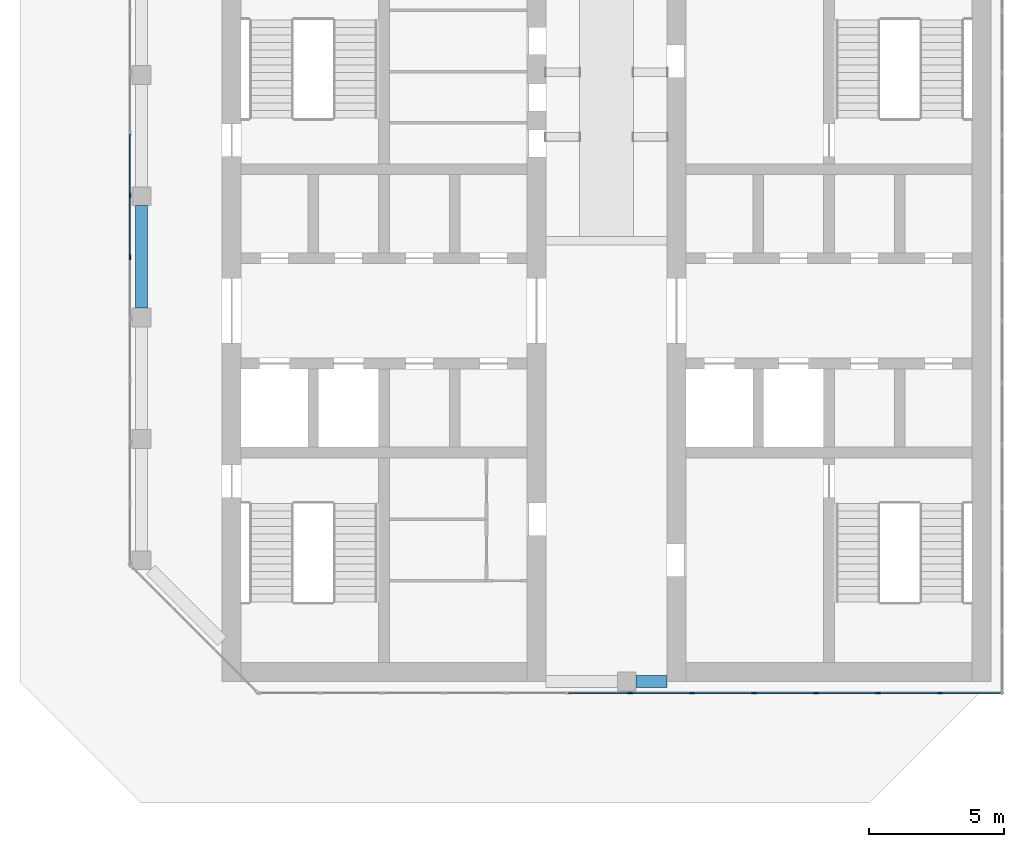
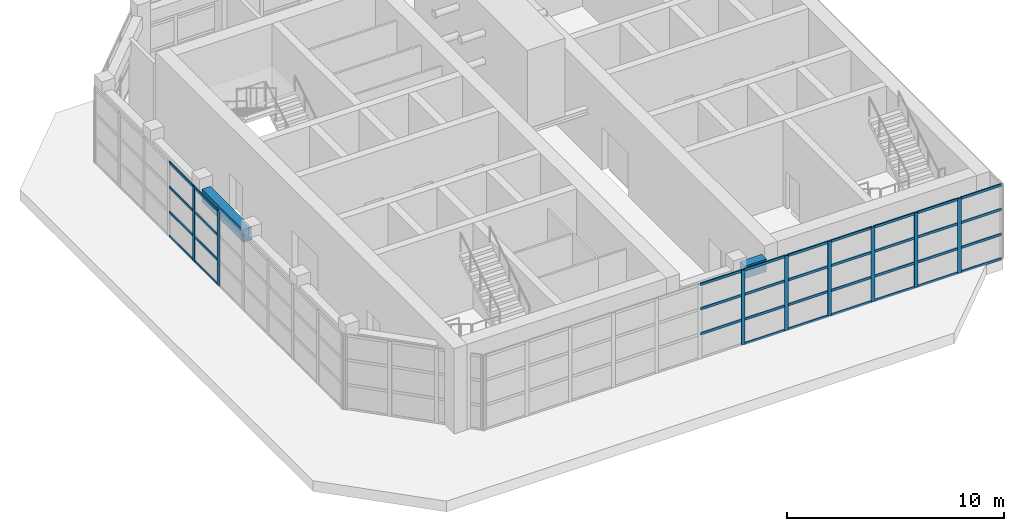
# One storey, part 3 of 13: 43 members, 2 beams, 2 elements without a shape of their own.
"""IFC4 building model written with IfcOpenShell, lengths in metres."""

from ifc_helpers import new_model, si_unit, direction, frame, origin, origin_2d, place, context, subcontext, project, spatial, rectangle, extrude, material, material_profile, profile_set, type_object, element, aggregate, save


model = new_model("IFC4")

# Units and contexts
model_context = context("Model", 3, precision=1e-05, world=origin(), true_north=direction((0.0, 1.0)))
body_context = subcontext(model_context, "Body", "Model", "MODEL_VIEW")
ifc_project = project(units=[si_unit("LENGTHUNIT", "METRE"), si_unit("AREAUNIT", "SQUARE_METRE"), si_unit("VOLUMEUNIT", "CUBIC_METRE"), si_unit("PLANEANGLEUNIT", "RADIAN"), si_unit("MASSUNIT", "GRAM", prefix="KILO")], contexts=[model_context])

# Site, building, storey
site_placement = place(None, origin())
site = spatial("IfcSite", under=ifc_project, at=site_placement, CompositionType="ELEMENT")
building_placement = place(site_placement, origin())
building = spatial("IfcBuilding", under=site, at=building_placement, Name="Corbel Stack Research Tower", CompositionType="ELEMENT")
storey_placement = place(building_placement, frame((0.0, 0.0, 311.800048828125)))
storey = spatial("IfcBuildingStorey", under=building, at=storey_placement, Name="L70", CompositionType="ELEMENT", Elevation=311.800048828125)

# Curtain wall, members
ifc_material_1 = material(Name="Aluminium and glass", Category="aluminium")
curtain_wall_type = type_object("IfcCurtainWallType", Name="CW4C damper hall glazing wall, corner", PredefinedType="NOTDEFINED", material=ifc_material_1)
curtain_wall_1_placement = place(storey_placement, origin())
curtain_wall_1 = element("IfcCurtainWall", 1, at=curtain_wall_1_placement, inside=storey, type_object=curtain_wall_type, Name="Damper hall curtain wall L70 2", PredefinedType="NOTDEFINED")
ifc_material_2 = material(Name="Aluminium, anodised", Category="aluminium")
ifc_material_profile_1 = material_profile(ifc_material_2, rectangle(XDim=0.06005859375, YDim=0.199951171875, at=origin_2d()), Name="CW4 mullion 60 x 200")
ifc_profile_set_1 = profile_set([ifc_material_profile_1], Name="Aluminium, anodised")
member_type_1 = type_object("IfcMemberType", Name="CW4 mullion 60 x 200", PredefinedType="MULLION", material=ifc_profile_set_1)
member_1_placement = place(storey_placement, frame((-13.919921875, 6.75, 0.0), z_axis=(0.0, 0.0, 1.0), x_axis=(-1.0, 0.0, 0.0)))
member_1 = element("IfcMember", 2, at=member_1_placement, type_object=member_type_1, Name="CW4C mullion 6", PredefinedType="MULLION", context=body_context, shape_type="SweptSolid", body=[
    extrude(rectangle(XDim=0.06005859375, YDim=0.199951171875, at=origin_2d()), origin(), (0.0, 0.0, 1.0), 4.199951171875),
])
member_2_placement = place(storey_placement, frame((-13.919921875, 9.034912109375, 0.0), z_axis=(0.0, 0.0, 1.0), x_axis=(-1.0, 0.0, 0.0)))
member_2 = element("IfcMember", 3, at=member_2_placement, type_object=member_type_1, Name="CW4C mullion 7", PredefinedType="MULLION", context=body_context, shape_type="SweptSolid", body=[
    extrude(rectangle(XDim=0.06005859375, YDim=0.199951171875, at=origin_2d()), origin(), (0.0, 0.0, 1.0), 4.199951171875),
])

curtain_wall_2_placement = place(storey_placement, origin())
curtain_wall_2 = element("IfcCurtainWall", 4, at=curtain_wall_2_placement, inside=storey, type_object=curtain_wall_type, Name="Damper hall curtain wall L70 7", PredefinedType="NOTDEFINED")
member_3_placement = place(storey_placement, frame((16.12060546875, -9.419921875, 0.0), z_axis=(0.0, 0.0, 1.0), x_axis=(0.0, -1.0, 0.0)))
member_3 = element("IfcMember", 5, at=member_3_placement, type_object=member_type_1, Name="CW4C mullion 2", PredefinedType="MULLION", context=body_context, shape_type="SweptSolid", body=[
    extrude(rectangle(XDim=0.06005859375, YDim=0.199951171875, at=origin_2d()), origin(), (0.0, 0.0, 1.0), 4.199951171875),
])
member_4_placement = place(storey_placement, frame((13.821044921875, -9.419921875, 0.0), z_axis=(0.0, 0.0, 1.0), x_axis=(0.0, -1.0, 0.0)))
member_4 = element("IfcMember", 6, at=member_4_placement, type_object=member_type_1, Name="CW4C mullion 3", PredefinedType="MULLION", context=body_context, shape_type="SweptSolid", body=[
    extrude(rectangle(XDim=0.06005859375, YDim=0.199951171875, at=origin_2d()), origin(), (0.0, 0.0, 1.0), 4.199951171875),
])
member_5_placement = place(storey_placement, frame((11.521484375, -9.419921875, 0.0), z_axis=(0.0, 0.0, 1.0), x_axis=(0.0, -1.0, 0.0)))
member_5 = element("IfcMember", 7, at=member_5_placement, type_object=member_type_1, Name="CW4C mullion 4", PredefinedType="MULLION", context=body_context, shape_type="SweptSolid", body=[
    extrude(rectangle(XDim=0.06005859375, YDim=0.199951171875, at=origin_2d()), origin(), (0.0, 0.0, 1.0), 4.199951171875),
])
member_6_placement = place(storey_placement, frame((9.221923828125, -9.419921875, 0.0), z_axis=(0.0, 0.0, 1.0), x_axis=(0.0, -1.0, 0.0)))
member_6 = element("IfcMember", 8, at=member_6_placement, type_object=member_type_1, Name="CW4C mullion 5", PredefinedType="MULLION", context=body_context, shape_type="SweptSolid", body=[
    extrude(rectangle(XDim=0.06005859375, YDim=0.199951171875, at=origin_2d()), origin(), (0.0, 0.0, 1.0), 4.199951171875),
])
member_7_placement = place(storey_placement, frame((6.922607421875, -9.419921875, 0.0), z_axis=(0.0, 0.0, 1.0), x_axis=(0.0, -1.0, 0.0)))
member_7 = element("IfcMember", 9, at=member_7_placement, type_object=member_type_1, Name="CW4C mullion 6", PredefinedType="MULLION", context=body_context, shape_type="SweptSolid", body=[
    extrude(rectangle(XDim=0.06005859375, YDim=0.199951171875, at=origin_2d()), origin(), (0.0, 0.0, 1.0), 4.199951171875),
])
member_8_placement = place(storey_placement, frame((4.623046875, -9.419921875, 0.0), z_axis=(0.0, 0.0, 1.0), x_axis=(0.0, -1.0, 0.0)))
member_8 = element("IfcMember", 10, at=member_8_placement, type_object=member_type_1, Name="CW4C mullion 7", PredefinedType="MULLION", context=body_context, shape_type="SweptSolid", body=[
    extrude(rectangle(XDim=0.06005859375, YDim=0.199951171875, at=origin_2d()), origin(), (0.0, 0.0, 1.0), 4.199951171875),
])

# Member
ifc_material_3 = material(Name="Aluminium, anodised", Category="aluminium")
ifc_material_profile_2 = material_profile(ifc_material_3, rectangle(XDim=0.06005859375, YDim=0.139892578125, at=origin_2d()), Name="CW4 transom 60 x 140")
ifc_profile_set_2 = profile_set([ifc_material_profile_2], Name="Aluminium, anodised")
member_type_2 = type_object("IfcMemberType", Name="CW4 transom 60 x 140", PredefinedType="USERDEFINED", material=ifc_profile_set_2)
member_9_placement = place(storey_placement, frame((-13.919921875, 6.780029296875, 0.030029296875), z_axis=(0.0, 1.0, 0.0), x_axis=(-1.0, 0.0, 0.0)))
member_9 = element("IfcMember", 11, at=member_9_placement, type_object=member_type_2, Name="CW4C transom 6.1", ObjectType="TRANSOM", PredefinedType="USERDEFINED", context=body_context, shape_type="SweptSolid", body=[
    extrude(rectangle(XDim=0.06005859375, YDim=0.139892578125, at=origin_2d()), origin(), (0.0, 0.0, 1.0), 2.224853515625),
])

member_10_placement = place(storey_placement, frame((-13.919921875, 6.780029296875, 1.39990234375), z_axis=(0.0, 1.0, 0.0), x_axis=(-1.0, 0.0, 0.0)))
member_10 = element("IfcMember", 12, at=member_10_placement, type_object=member_type_2, Name="CW4C transom 6.2", ObjectType="TRANSOM", PredefinedType="USERDEFINED", context=body_context, shape_type="SweptSolid", body=[
    extrude(rectangle(XDim=0.06005859375, YDim=0.139892578125, at=origin_2d()), origin(), (0.0, 0.0, 1.0), 2.224853515625),
])

member_11_placement = place(storey_placement, frame((-13.919921875, 6.780029296875, 2.800048828125), z_axis=(0.0, 1.0, 0.0), x_axis=(-1.0, 0.0, 0.0)))
member_11 = element("IfcMember", 13, at=member_11_placement, type_object=member_type_2, Name="CW4C transom 6.3", ObjectType="TRANSOM", PredefinedType="USERDEFINED", context=body_context, shape_type="SweptSolid", body=[
    extrude(rectangle(XDim=0.06005859375, YDim=0.139892578125, at=origin_2d()), origin(), (0.0, 0.0, 1.0), 2.224853515625),
])

member_12_placement = place(storey_placement, frame((-13.919921875, 6.780029296875, 4.169921875), z_axis=(0.0, 1.0, 0.0), x_axis=(-1.0, 0.0, 0.0)))
member_12 = element("IfcMember", 14, at=member_12_placement, type_object=member_type_2, Name="CW4C transom 6.4", ObjectType="TRANSOM", PredefinedType="USERDEFINED", context=body_context, shape_type="SweptSolid", body=[
    extrude(rectangle(XDim=0.06005859375, YDim=0.139892578125, at=origin_2d()), origin(), (0.0, 0.0, 1.0), 2.224853515625),
])

member_13_placement = place(storey_placement, frame((-13.919921875, 9.064697265625, 0.030029296875), z_axis=(0.0, 1.0, 0.0), x_axis=(-1.0, 0.0, 0.0)))
member_13 = element("IfcMember", 15, at=member_13_placement, type_object=member_type_2, Name="CW4C transom 7.1", ObjectType="TRANSOM", PredefinedType="USERDEFINED", context=body_context, shape_type="SweptSolid", body=[
    extrude(rectangle(XDim=0.06005859375, YDim=0.139892578125, at=origin_2d()), origin(), (0.0, 0.0, 1.0), 2.224853515625),
])

member_14_placement = place(storey_placement, frame((-13.919921875, 9.064697265625, 1.39990234375), z_axis=(0.0, 1.0, 0.0), x_axis=(-1.0, 0.0, 0.0)))
member_14 = element("IfcMember", 16, at=member_14_placement, type_object=member_type_2, Name="CW4C transom 7.2", ObjectType="TRANSOM", PredefinedType="USERDEFINED", context=body_context, shape_type="SweptSolid", body=[
    extrude(rectangle(XDim=0.06005859375, YDim=0.139892578125, at=origin_2d()), origin(), (0.0, 0.0, 1.0), 2.224853515625),
])

member_15_placement = place(storey_placement, frame((-13.919921875, 9.064697265625, 2.800048828125), z_axis=(0.0, 1.0, 0.0), x_axis=(-1.0, 0.0, 0.0)))
member_15 = element("IfcMember", 17, at=member_15_placement, type_object=member_type_2, Name="CW4C transom 7.3", ObjectType="TRANSOM", PredefinedType="USERDEFINED", context=body_context, shape_type="SweptSolid", body=[
    extrude(rectangle(XDim=0.06005859375, YDim=0.139892578125, at=origin_2d()), origin(), (0.0, 0.0, 1.0), 2.224853515625),
])

member_16_placement = place(storey_placement, frame((-13.919921875, 9.064697265625, 4.169921875), z_axis=(0.0, 1.0, 0.0), x_axis=(-1.0, 0.0, 0.0)))
member_16 = element("IfcMember", 18, at=member_16_placement, type_object=member_type_2, Name="CW4C transom 7.4", ObjectType="TRANSOM", PredefinedType="USERDEFINED", context=body_context, shape_type="SweptSolid", body=[
    extrude(rectangle(XDim=0.06005859375, YDim=0.139892578125, at=origin_2d()), origin(), (0.0, 0.0, 1.0), 2.224853515625),
])

aggregate(curtain_wall_1, [member_1, member_2, member_9, member_10, member_11, member_12, member_13, member_14, member_15, member_16])

member_17_placement = place(storey_placement, frame((18.360107421875, -9.419921875, 0.030029296875), z_axis=(-1.0, 0.0, 0.0), x_axis=(0.0, -1.0, 0.0)))
member_17 = element("IfcMember", 19, at=member_17_placement, type_object=member_type_2, Name="CW4C transom 1.1", ObjectType="TRANSOM", PredefinedType="USERDEFINED", context=body_context, shape_type="SweptSolid", body=[
    extrude(rectangle(XDim=0.06005859375, YDim=0.139892578125, at=origin_2d()), origin(), (0.0, 0.0, 1.0), 2.209716796875),
])

member_18_placement = place(storey_placement, frame((18.360107421875, -9.419921875, 1.39990234375), z_axis=(-1.0, 0.0, 0.0), x_axis=(0.0, -1.0, 0.0)))
member_18 = element("IfcMember", 20, at=member_18_placement, type_object=member_type_2, Name="CW4C transom 1.2", ObjectType="TRANSOM", PredefinedType="USERDEFINED", context=body_context, shape_type="SweptSolid", body=[
    extrude(rectangle(XDim=0.06005859375, YDim=0.139892578125, at=origin_2d()), origin(), (0.0, 0.0, 1.0), 2.209716796875),
])

member_19_placement = place(storey_placement, frame((18.360107421875, -9.419921875, 2.800048828125), z_axis=(-1.0, 0.0, 0.0), x_axis=(0.0, -1.0, 0.0)))
member_19 = element("IfcMember", 21, at=member_19_placement, type_object=member_type_2, Name="CW4C transom 1.3", ObjectType="TRANSOM", PredefinedType="USERDEFINED", context=body_context, shape_type="SweptSolid", body=[
    extrude(rectangle(XDim=0.06005859375, YDim=0.139892578125, at=origin_2d()), origin(), (0.0, 0.0, 1.0), 2.209716796875),
])

member_20_placement = place(storey_placement, frame((18.360107421875, -9.419921875, 4.169921875), z_axis=(-1.0, 0.0, 0.0), x_axis=(0.0, -1.0, 0.0)))
member_20 = element("IfcMember", 22, at=member_20_placement, type_object=member_type_2, Name="CW4C transom 1.4", ObjectType="TRANSOM", PredefinedType="USERDEFINED", context=body_context, shape_type="SweptSolid", body=[
    extrude(rectangle(XDim=0.06005859375, YDim=0.139892578125, at=origin_2d()), origin(), (0.0, 0.0, 1.0), 2.209716796875),
])

member_21_placement = place(storey_placement, frame((16.090576171875, -9.419921875, 0.030029296875), z_axis=(-1.0, 0.0, 0.0), x_axis=(0.0, -1.0, 0.0)))
member_21 = element("IfcMember", 23, at=member_21_placement, type_object=member_type_2, Name="CW4C transom 2.1", ObjectType="TRANSOM", PredefinedType="USERDEFINED", context=body_context, shape_type="SweptSolid", body=[
    extrude(rectangle(XDim=0.06005859375, YDim=0.139892578125, at=origin_2d()), origin(), (0.0, 0.0, 1.0), 2.239501953125),
])

member_22_placement = place(storey_placement, frame((16.090576171875, -9.419921875, 1.39990234375), z_axis=(-1.0, 0.0, 0.0), x_axis=(0.0, -1.0, 0.0)))
member_22 = element("IfcMember", 24, at=member_22_placement, type_object=member_type_2, Name="CW4C transom 2.2", ObjectType="TRANSOM", PredefinedType="USERDEFINED", context=body_context, shape_type="SweptSolid", body=[
    extrude(rectangle(XDim=0.06005859375, YDim=0.139892578125, at=origin_2d()), origin(), (0.0, 0.0, 1.0), 2.239501953125),
])

member_23_placement = place(storey_placement, frame((16.090576171875, -9.419921875, 2.800048828125), z_axis=(-1.0, 0.0, 0.0), x_axis=(0.0, -1.0, 0.0)))
member_23 = element("IfcMember", 25, at=member_23_placement, type_object=member_type_2, Name="CW4C transom 2.3", ObjectType="TRANSOM", PredefinedType="USERDEFINED", context=body_context, shape_type="SweptSolid", body=[
    extrude(rectangle(XDim=0.06005859375, YDim=0.139892578125, at=origin_2d()), origin(), (0.0, 0.0, 1.0), 2.239501953125),
])

member_24_placement = place(storey_placement, frame((16.090576171875, -9.419921875, 4.169921875), z_axis=(-1.0, 0.0, 0.0), x_axis=(0.0, -1.0, 0.0)))
member_24 = element("IfcMember", 26, at=member_24_placement, type_object=member_type_2, Name="CW4C transom 2.4", ObjectType="TRANSOM", PredefinedType="USERDEFINED", context=body_context, shape_type="SweptSolid", body=[
    extrude(rectangle(XDim=0.06005859375, YDim=0.139892578125, at=origin_2d()), origin(), (0.0, 0.0, 1.0), 2.239501953125),
])

member_25_placement = place(storey_placement, frame((13.791015625, -9.419921875, 0.030029296875), z_axis=(-1.0, 0.0, 0.0), x_axis=(0.0, -1.0, 0.0)))
member_25 = element("IfcMember", 27, at=member_25_placement, type_object=member_type_2, Name="CW4C transom 3.1", ObjectType="TRANSOM", PredefinedType="USERDEFINED", context=body_context, shape_type="SweptSolid", body=[
    extrude(rectangle(XDim=0.06005859375, YDim=0.139892578125, at=origin_2d()), origin(), (0.0, 0.0, 1.0), 2.239501953125),
])

member_26_placement = place(storey_placement, frame((13.791015625, -9.419921875, 1.39990234375), z_axis=(-1.0, 0.0, 0.0), x_axis=(0.0, -1.0, 0.0)))
member_26 = element("IfcMember", 28, at=member_26_placement, type_object=member_type_2, Name="CW4C transom 3.2", ObjectType="TRANSOM", PredefinedType="USERDEFINED", context=body_context, shape_type="SweptSolid", body=[
    extrude(rectangle(XDim=0.06005859375, YDim=0.139892578125, at=origin_2d()), origin(), (0.0, 0.0, 1.0), 2.239501953125),
])

member_27_placement = place(storey_placement, frame((13.791015625, -9.419921875, 2.800048828125), z_axis=(-1.0, 0.0, 0.0), x_axis=(0.0, -1.0, 0.0)))
member_27 = element("IfcMember", 29, at=member_27_placement, type_object=member_type_2, Name="CW4C transom 3.3", ObjectType="TRANSOM", PredefinedType="USERDEFINED", context=body_context, shape_type="SweptSolid", body=[
    extrude(rectangle(XDim=0.06005859375, YDim=0.139892578125, at=origin_2d()), origin(), (0.0, 0.0, 1.0), 2.239501953125),
])

member_28_placement = place(storey_placement, frame((13.791015625, -9.419921875, 4.169921875), z_axis=(-1.0, 0.0, 0.0), x_axis=(0.0, -1.0, 0.0)))
member_28 = element("IfcMember", 30, at=member_28_placement, type_object=member_type_2, Name="CW4C transom 3.4", ObjectType="TRANSOM", PredefinedType="USERDEFINED", context=body_context, shape_type="SweptSolid", body=[
    extrude(rectangle(XDim=0.06005859375, YDim=0.139892578125, at=origin_2d()), origin(), (0.0, 0.0, 1.0), 2.239501953125),
])

member_29_placement = place(storey_placement, frame((11.491455078125, -9.419921875, 0.030029296875), z_axis=(-1.0, 0.0, 0.0), x_axis=(0.0, -1.0, 0.0)))
member_29 = element("IfcMember", 31, at=member_29_placement, type_object=member_type_2, Name="CW4C transom 4.1", ObjectType="TRANSOM", PredefinedType="USERDEFINED", context=body_context, shape_type="SweptSolid", body=[
    extrude(rectangle(XDim=0.06005859375, YDim=0.139892578125, at=origin_2d()), origin(), (0.0, 0.0, 1.0), 2.239501953125),
])

member_30_placement = place(storey_placement, frame((11.491455078125, -9.419921875, 1.39990234375), z_axis=(-1.0, 0.0, 0.0), x_axis=(0.0, -1.0, 0.0)))
member_30 = element("IfcMember", 32, at=member_30_placement, type_object=member_type_2, Name="CW4C transom 4.2", ObjectType="TRANSOM", PredefinedType="USERDEFINED", context=body_context, shape_type="SweptSolid", body=[
    extrude(rectangle(XDim=0.06005859375, YDim=0.139892578125, at=origin_2d()), origin(), (0.0, 0.0, 1.0), 2.239501953125),
])

member_31_placement = place(storey_placement, frame((11.491455078125, -9.419921875, 2.800048828125), z_axis=(-1.0, 0.0, 0.0), x_axis=(0.0, -1.0, 0.0)))
member_31 = element("IfcMember", 33, at=member_31_placement, type_object=member_type_2, Name="CW4C transom 4.3", ObjectType="TRANSOM", PredefinedType="USERDEFINED", context=body_context, shape_type="SweptSolid", body=[
    extrude(rectangle(XDim=0.06005859375, YDim=0.139892578125, at=origin_2d()), origin(), (0.0, 0.0, 1.0), 2.239501953125),
])

member_32_placement = place(storey_placement, frame((11.491455078125, -9.419921875, 4.169921875), z_axis=(-1.0, 0.0, 0.0), x_axis=(0.0, -1.0, 0.0)))
member_32 = element("IfcMember", 34, at=member_32_placement, type_object=member_type_2, Name="CW4C transom 4.4", ObjectType="TRANSOM", PredefinedType="USERDEFINED", context=body_context, shape_type="SweptSolid", body=[
    extrude(rectangle(XDim=0.06005859375, YDim=0.139892578125, at=origin_2d()), origin(), (0.0, 0.0, 1.0), 2.239501953125),
])

member_33_placement = place(storey_placement, frame((9.19189453125, -9.419921875, 0.030029296875), z_axis=(-1.0, 0.0, 0.0), x_axis=(0.0, -1.0, 0.0)))
member_33 = element("IfcMember", 35, at=member_33_placement, type_object=member_type_2, Name="CW4C transom 5.1", ObjectType="TRANSOM", PredefinedType="USERDEFINED", context=body_context, shape_type="SweptSolid", body=[
    extrude(rectangle(XDim=0.06005859375, YDim=0.139892578125, at=origin_2d()), origin(), (0.0, 0.0, 1.0), 2.239501953125),
])

member_34_placement = place(storey_placement, frame((9.19189453125, -9.419921875, 1.39990234375), z_axis=(-1.0, 0.0, 0.0), x_axis=(0.0, -1.0, 0.0)))
member_34 = element("IfcMember", 36, at=member_34_placement, type_object=member_type_2, Name="CW4C transom 5.2", ObjectType="TRANSOM", PredefinedType="USERDEFINED", context=body_context, shape_type="SweptSolid", body=[
    extrude(rectangle(XDim=0.06005859375, YDim=0.139892578125, at=origin_2d()), origin(), (0.0, 0.0, 1.0), 2.239501953125),
])

member_35_placement = place(storey_placement, frame((9.19189453125, -9.419921875, 2.800048828125), z_axis=(-1.0, 0.0, 0.0), x_axis=(0.0, -1.0, 0.0)))
member_35 = element("IfcMember", 37, at=member_35_placement, type_object=member_type_2, Name="CW4C transom 5.3", ObjectType="TRANSOM", PredefinedType="USERDEFINED", context=body_context, shape_type="SweptSolid", body=[
    extrude(rectangle(XDim=0.06005859375, YDim=0.139892578125, at=origin_2d()), origin(), (0.0, 0.0, 1.0), 2.239501953125),
])

member_36_placement = place(storey_placement, frame((9.19189453125, -9.419921875, 4.169921875), z_axis=(-1.0, 0.0, 0.0), x_axis=(0.0, -1.0, 0.0)))
member_36 = element("IfcMember", 38, at=member_36_placement, type_object=member_type_2, Name="CW4C transom 5.4", ObjectType="TRANSOM", PredefinedType="USERDEFINED", context=body_context, shape_type="SweptSolid", body=[
    extrude(rectangle(XDim=0.06005859375, YDim=0.139892578125, at=origin_2d()), origin(), (0.0, 0.0, 1.0), 2.239501953125),
])

member_37_placement = place(storey_placement, frame((6.892578125, -9.419921875, 0.030029296875), z_axis=(-1.0, 0.0, 0.0), x_axis=(0.0, -1.0, 0.0)))
member_37 = element("IfcMember", 39, at=member_37_placement, type_object=member_type_2, Name="CW4C transom 6.1", ObjectType="TRANSOM", PredefinedType="USERDEFINED", context=body_context, shape_type="SweptSolid", body=[
    extrude(rectangle(XDim=0.06005859375, YDim=0.139892578125, at=origin_2d()), origin(), (0.0, 0.0, 1.0), 2.239501953125),
])

member_38_placement = place(storey_placement, frame((6.892578125, -9.419921875, 1.39990234375), z_axis=(-1.0, 0.0, 0.0), x_axis=(0.0, -1.0, 0.0)))
member_38 = element("IfcMember", 40, at=member_38_placement, type_object=member_type_2, Name="CW4C transom 6.2", ObjectType="TRANSOM", PredefinedType="USERDEFINED", context=body_context, shape_type="SweptSolid", body=[
    extrude(rectangle(XDim=0.06005859375, YDim=0.139892578125, at=origin_2d()), origin(), (0.0, 0.0, 1.0), 2.239501953125),
])

member_39_placement = place(storey_placement, frame((6.892578125, -9.419921875, 2.800048828125), z_axis=(-1.0, 0.0, 0.0), x_axis=(0.0, -1.0, 0.0)))
member_39 = element("IfcMember", 41, at=member_39_placement, type_object=member_type_2, Name="CW4C transom 6.3", ObjectType="TRANSOM", PredefinedType="USERDEFINED", context=body_context, shape_type="SweptSolid", body=[
    extrude(rectangle(XDim=0.06005859375, YDim=0.139892578125, at=origin_2d()), origin(), (0.0, 0.0, 1.0), 2.239501953125),
])

member_40_placement = place(storey_placement, frame((6.892578125, -9.419921875, 4.169921875), z_axis=(-1.0, 0.0, 0.0), x_axis=(0.0, -1.0, 0.0)))
member_40 = element("IfcMember", 42, at=member_40_placement, type_object=member_type_2, Name="CW4C transom 6.4", ObjectType="TRANSOM", PredefinedType="USERDEFINED", context=body_context, shape_type="SweptSolid", body=[
    extrude(rectangle(XDim=0.06005859375, YDim=0.139892578125, at=origin_2d()), origin(), (0.0, 0.0, 1.0), 2.239501953125),
])

member_41_placement = place(storey_placement, frame((4.593017578125, -9.419921875, 1.39990234375), z_axis=(-1.0, 0.0, 0.0), x_axis=(0.0, -1.0, 0.0)))
member_41 = element("IfcMember", 43, at=member_41_placement, type_object=member_type_2, Name="CW4C transom 7.2", ObjectType="TRANSOM", PredefinedType="USERDEFINED", context=body_context, shape_type="SweptSolid", body=[
    extrude(rectangle(XDim=0.06005859375, YDim=0.139892578125, at=origin_2d()), origin(), (0.0, 0.0, 1.0), 2.239501953125),
])

member_42_placement = place(storey_placement, frame((4.593017578125, -9.419921875, 2.800048828125), z_axis=(-1.0, 0.0, 0.0), x_axis=(0.0, -1.0, 0.0)))
member_42 = element("IfcMember", 44, at=member_42_placement, type_object=member_type_2, Name="CW4C transom 7.3", ObjectType="TRANSOM", PredefinedType="USERDEFINED", context=body_context, shape_type="SweptSolid", body=[
    extrude(rectangle(XDim=0.06005859375, YDim=0.139892578125, at=origin_2d()), origin(), (0.0, 0.0, 1.0), 2.239501953125),
])

member_43_placement = place(storey_placement, frame((4.593017578125, -9.419921875, 4.169921875), z_axis=(-1.0, 0.0, 0.0), x_axis=(0.0, -1.0, 0.0)))
member_43 = element("IfcMember", 45, at=member_43_placement, type_object=member_type_2, Name="CW4C transom 7.4", ObjectType="TRANSOM", PredefinedType="USERDEFINED", context=body_context, shape_type="SweptSolid", body=[
    extrude(rectangle(XDim=0.06005859375, YDim=0.139892578125, at=origin_2d()), origin(), (0.0, 0.0, 1.0), 2.239501953125),
])

aggregate(curtain_wall_2, [member_3, member_4, member_5, member_6, member_7, member_8, member_17, member_18, member_19, member_20, member_21, member_22, member_23, member_24, member_25, member_26, member_27, member_28, member_29, member_30, member_31, member_32, member_33, member_34, member_35, member_36, member_37, member_38, member_39, member_40, member_41, member_42, member_43])

# Beams
ifc_material_4 = material(Name="Concrete C60/75", Category="concrete")
ifc_material_profile_3 = material_profile(ifc_material_4, rectangle(XDim=0.449951171875, YDim=0.699951171875, at=origin_2d()), Name="RC 450 x 700")
ifc_profile_set_3 = profile_set([ifc_material_profile_3], Name="Concrete C60/75")
beam_type = type_object("IfcBeamType", Name="SB-450-700", PredefinedType="SPANDREL", material=ifc_profile_set_3)
beam_1_placement = place(storey_placement, frame((4.85009765625, -9.0, 3.849853515625), z_axis=(1.0, 0.0, 0.0), x_axis=(0.0, 1.0, 0.0)))
element("IfcBeam", 46, at=beam_1_placement, inside=storey, type_object=beam_type, Name="Spandrel beam L70-02", PredefinedType="SPANDREL", context=body_context, shape_type="SweptSolid", body=[
    extrude(rectangle(XDim=0.449951171875, YDim=0.699951171875, at=origin_2d()), origin(), (0.0, 0.0, 1.0), 1.14990234375),
])
beam_2_placement = place(storey_placement, frame((-13.5, 8.64990234375, 3.849853515625), z_axis=(0.0, -1.0, 0.0), x_axis=(1.0, 0.0, 0.0)))
element("IfcBeam", 47, at=beam_2_placement, inside=storey, type_object=beam_type, Name="Spandrel beam L70-12", PredefinedType="SPANDREL", context=body_context, shape_type="SweptSolid", body=[
    extrude(rectangle(XDim=0.449951171875, YDim=0.699951171875, at=origin_2d()), origin(), (0.0, 0.0, 1.0), 3.7998046875),
])

save(model, "model.ifc")
